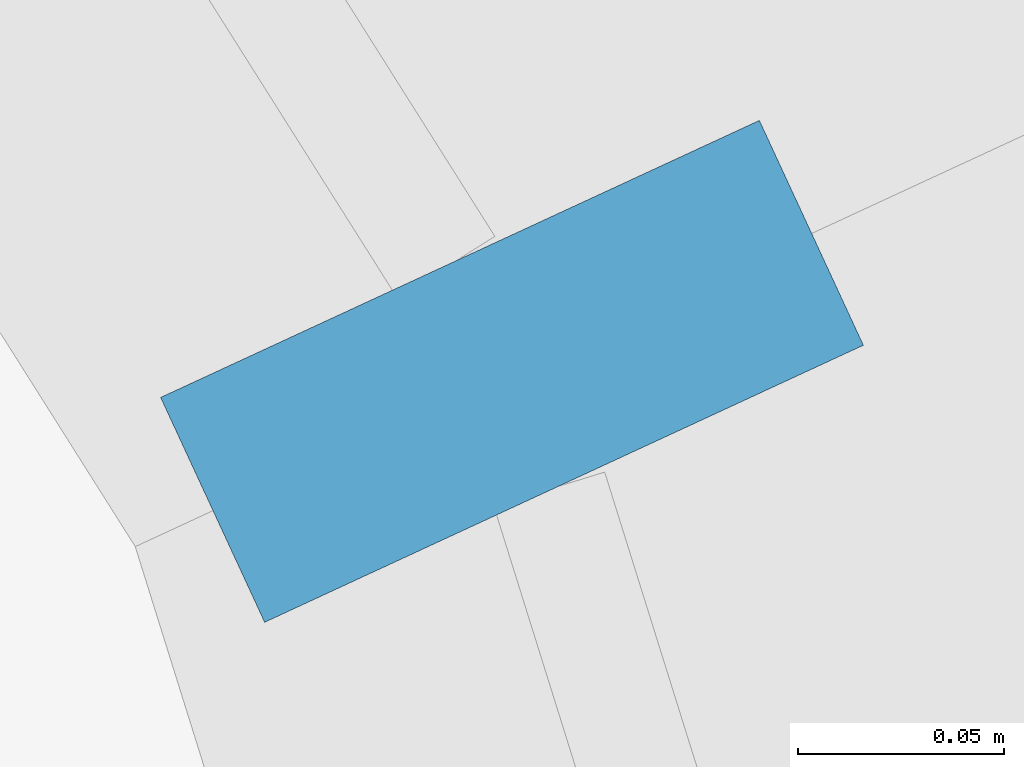
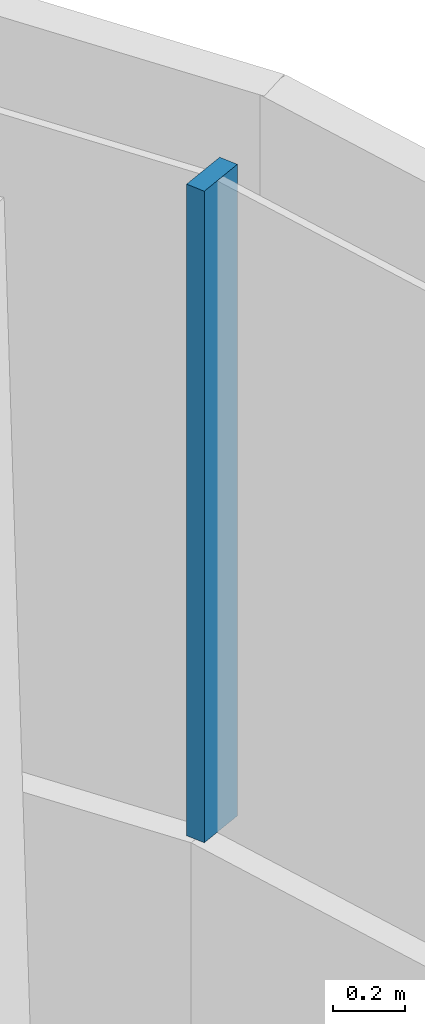
# One storey, part 11 of 36: 1 member, 1 element without a shape of its own.
"""IFC4 building model written with IfcOpenShell, lengths in metres."""

from ifc_helpers import new_model, si_unit, direction, frame, origin, origin_2d, place, context, subcontext, project, spatial, rectangle, extrude, material, layer, layer_set, material_profile, profile_set, type_object, element, aggregate, save


model = new_model("IFC4")

# Units and contexts
model_context = context("Model", 3, precision=1e-05, world=origin(), true_north=direction((0.0, 1.0)))
body_context = subcontext(model_context, "Body", "Model", "MODEL_VIEW")
ifc_project = project(units=[si_unit("LENGTHUNIT", "METRE"), si_unit("AREAUNIT", "SQUARE_METRE"), si_unit("VOLUMEUNIT", "CUBIC_METRE"), si_unit("PLANEANGLEUNIT", "RADIAN"), si_unit("MASSUNIT", "GRAM", prefix="KILO")], contexts=[model_context])

# Site, building, storey
site_placement = place(None, origin())
site = spatial("IfcSite", under=ifc_project, at=site_placement, CompositionType="ELEMENT")
building_placement = place(site_placement, origin())
building = spatial("IfcBuilding", under=site, at=building_placement, Name="Tamarind Cross Interchange Tower", CompositionType="ELEMENT")
storey_placement = place(building_placement, frame((0.0, 0.0, 151.75)))
storey = spatial("IfcBuildingStorey", under=building, at=storey_placement, Name="L37", CompositionType="ELEMENT", Elevation=151.75)

# Curtain wall, member
ifc_material = material(Name="Aluminium 6063-T6", Category="aluminium")
ifc_layer = layer(ifc_material, 0.159912109375)
ifc_layer_set = layer_set([ifc_layer], Name="Aluminium 6063-T6")
curtain_wall_type = type_object("IfcCurtainWallType", Name="Office curtain wall, 9.0 m bays", PredefinedType="NOTDEFINED", material=ifc_layer_set)
curtain_wall_placement = place(storey_placement, origin())
curtain_wall = element("IfcCurtainWall", 1, at=curtain_wall_placement, inside=storey, type_object=curtain_wall_type, Name="CWS-L37-09", PredefinedType="NOTDEFINED")
ifc_material_profile = material_profile(ifc_material, rectangle(XDim=0.06005859375, YDim=0.159912109375, at=origin_2d()), Name="Mullion CW1")
ifc_profile_set = profile_set([ifc_material_profile], Name="Aluminium 6063-T6")
member_type = type_object("IfcMemberType", Name="Mullion CW1", PredefinedType="MULLION", material=ifc_profile_set)
member_placement = place(storey_placement, frame((19.5263671875, -40.08740234375, 1.39990234375), z_axis=(0.0, 0.0, 1.0), x_axis=(-0.419902223158, 0.907569348858, 0.0)))
member = element("IfcMember", 2, at=member_placement, type_object=member_type, Name="CWM-L37-09-00", PredefinedType="MULLION", context=body_context, shape_type="SweptSolid", body=[
    extrude(rectangle(XDim=0.06005859375, YDim=0.159912109375, at=origin_2d()), origin(), (0.0, 0.0, 1.0), 2.210205078125),
])
aggregate(curtain_wall, [member])

save(model, "model.ifc")
